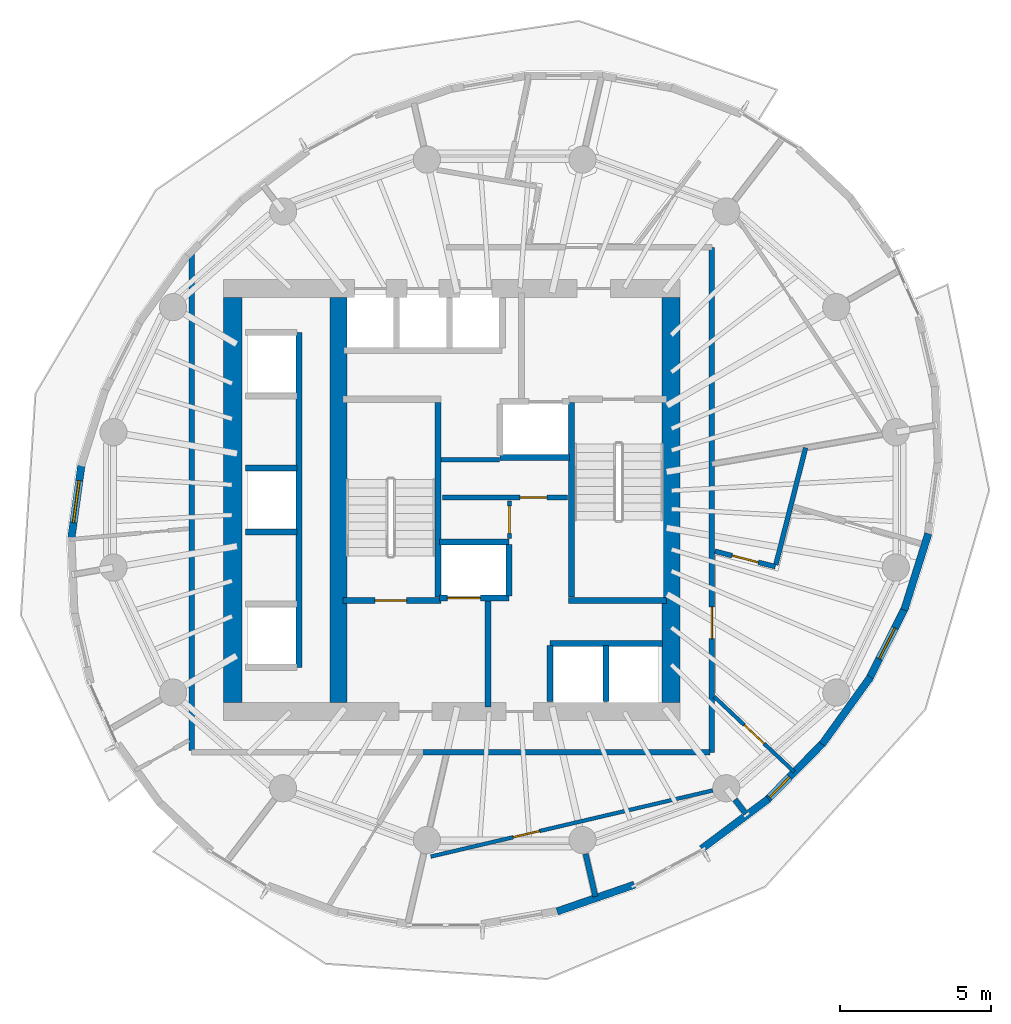
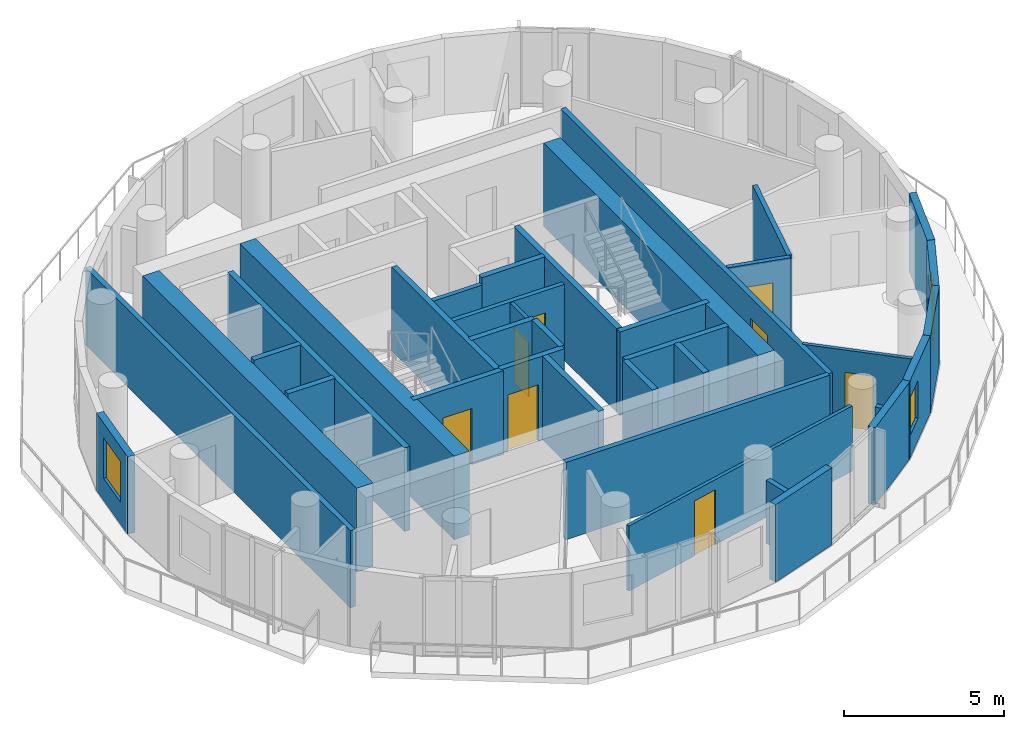
# One storey, part 5 of 10: 37 walls, 9 doors, 2 windows, 11 openings.
"""IFC4 building model written with IfcOpenShell, lengths in metres."""

from ifc_helpers import new_model, si_unit, direction, frame, frame_2d, origin, place, context, subcontext, project, spatial, rectangle, extrude, material, layer, layer_set, type_object, element, fill, save


model = new_model("IFC4")

# Units and contexts
model_context = context("Model", 3, precision=1e-05, world=origin(), true_north=direction((0.0, 1.0)))
body_context = subcontext(model_context, "Body", "Model", "MODEL_VIEW")
ifc_project = project(units=[si_unit("LENGTHUNIT", "METRE"), si_unit("AREAUNIT", "SQUARE_METRE"), si_unit("VOLUMEUNIT", "CUBIC_METRE"), si_unit("PLANEANGLEUNIT", "RADIAN"), si_unit("MASSUNIT", "GRAM", prefix="KILO")], contexts=[model_context])

# Site, building, storey
site_placement = place(None, origin())
site = spatial("IfcSite", under=ifc_project, at=site_placement, CompositionType="ELEMENT")
building_placement = place(site_placement, origin())
building = spatial("IfcBuilding", under=site, at=building_placement, Name="Veldorim Arch Residences", CompositionType="ELEMENT")
storey_placement = place(building_placement, frame((0.0, 0.0, 166.239990234375)))
storey = spatial("IfcBuildingStorey", under=building, at=storey_placement, Name="L49", CompositionType="ELEMENT", Elevation=166.239990234375)

# Wall, opening, door
ifc_material_1 = material(Name="Acoustic Gypsum Board", Category="gypsum")
ifc_layer_1 = layer(ifc_material_1, 0.125, Name="Acoustic Stud Room Partition Wall 125")
ifc_layer_set_1 = layer_set([ifc_layer_1], Name="Acoustic Gypsum Board")
wall_type_1 = type_object("IfcWallType", Name="Acoustic Stud Room Partition Wall 125", PredefinedType="PARTITIONING", material=ifc_layer_set_1)
wall_1_placement = place(storey_placement, frame((32.159912109375, 22.719970703125, 0.0), z_axis=(0.0, 0.0, 1.0), x_axis=(0.0, 1.0, 0.0)))
wall_1 = element("IfcWall", 1, at=wall_1_placement, inside=storey, type_object=wall_type_1, Name="L49 interior wall WL-CA-L49-2", PredefinedType="PARTITIONING", context=body_context, shape_type="SweptSolid", body=[
    extrude(rectangle(XDim=1.25, YDim=0.125, at=frame_2d((0.625, 0.0))), origin(), (0.0, 0.0, 1.0), 2.955078125),
])
opening_1_placement = place(wall_1_placement, frame((0.169921875, 0.0, 0.0)))
opening_1 = element("IfcOpeningElement", 2, at=opening_1_placement, cuts=wall_1, Name="Opening DR-SVC", PredefinedType="OPENING", context=body_context, shape_type="SweptSolid", body=[
    extrude(rectangle(XDim=0.89990234375, YDim=2.10009765625, at=frame_2d((0.449951171875, 1.050048828125))), frame((0.0, 0.072509765625, 0.0), z_axis=(0.0, -1.0, 0.0), x_axis=(1.0, 0.0, 0.0)), (0.0, 0.0, 1.0), 0.14501953125),
])
ifc_material_2 = material(Name="Fire-Rated Steel", Category="steel")
door_type_1 = type_object("IfcDoorType", Name="Riser, Shelter & Plant Room Rated Steel Door 900x2100", OperationType="SINGLE_SWING_LEFT", PredefinedType="DOOR", material=ifc_material_2)
door_1_placement = place(opening_1_placement, origin())
door_1 = element("IfcDoor", 3, at=door_1_placement, inside=storey, type_object=door_type_1, Name="L49 interior door DR-L49-CA2", OperationType="SINGLE_SWING_RIGHT", OverallHeight=2.10009765625, OverallWidth=0.89990234375, PredefinedType="DOOR", context=body_context, shape_type="SweptSolid", body=[
    extrude(rectangle(XDim=0.89990234375, YDim=2.10009765625, at=frame_2d((0.449951171875, 1.050048828125))), frame((0.0, 0.02490234375, 0.0), z_axis=(0.0, -1.0, 0.0), x_axis=(1.0, 0.0, 0.0)), (0.0, 0.0, 1.0), 0.050048828125),
])
fill(opening_1, door_1)

wall_2_placement = place(storey_placement, frame((41.58251953125, 14.9970703125, 0.0), z_axis=(0.0, 0.0, 1.0), x_axis=(-0.728822684094, 0.684702486596, 0.0)))
wall_2 = element("IfcWall", 4, at=wall_2_placement, inside=storey, type_object=wall_type_1, Name="L49 interior wall WL-RES-L49-007", PredefinedType="PARTITIONING", context=body_context, shape_type="SweptSolid", body=[
    extrude(rectangle(XDim=3.635498046875, YDim=0.125, at=frame_2d((1.81787109375, 0.0))), origin(), (0.0, 0.0, 1.0), 2.955078125),
])
opening_2_placement = place(wall_2_placement, frame((1.36767578125, 0.0, 0.0)))
opening_2 = element("IfcOpeningElement", 5, at=opening_2_placement, cuts=wall_2, Name="Opening DR-INT", PredefinedType="OPENING", context=body_context, shape_type="SweptSolid", body=[
    extrude(rectangle(XDim=0.89990234375, YDim=2.10009765625, at=frame_2d((0.449951171875, 1.050048828125))), frame((0.0, 0.072509765625, 0.0), z_axis=(0.0, -1.0, 0.0), x_axis=(1.0, 0.0, 0.0)), (0.0, 0.0, 1.0), 0.14501953125),
])
ifc_material_3 = material(Name="Engineered Timber", Category="wood")
door_type_2 = type_object("IfcDoorType", Name="Apartment Internal Room Timber Door 900x2100", OperationType="SINGLE_SWING_LEFT", PredefinedType="DOOR", material=ifc_material_3)
door_2_placement = place(opening_2_placement, origin())
door_2 = element("IfcDoor", 6, at=door_2_placement, inside=storey, type_object=door_type_2, Name="L49 interior door DR-RES-L49-003", OperationType="SINGLE_SWING_LEFT", OverallHeight=2.10009765625, OverallWidth=0.89990234375, PredefinedType="DOOR", context=body_context, shape_type="SweptSolid", body=[
    extrude(rectangle(XDim=0.89990234375, YDim=2.10009765625, at=frame_2d((0.449951171875, 1.050048828125))), frame((0.0, 0.02490234375, 0.0), z_axis=(0.0, -1.0, 0.0), x_axis=(1.0, 0.0, 0.0)), (0.0, 0.0, 1.0), 0.050048828125),
])
fill(opening_2, door_2)

wall_3_placement = place(storey_placement, frame((38.8837890625, 14.381591796875, 0.0), z_axis=(0.0, 0.0, 1.0), x_axis=(-0.973598619929, -0.228266789684, 0.0)))
wall_3 = element("IfcWall", 7, at=wall_3_placement, inside=storey, type_object=wall_type_1, Name="L49 interior wall WL-RES-L49-011", PredefinedType="PARTITIONING", context=body_context, shape_type="SweptSolid", body=[
    extrude(rectangle(XDim=9.5830078125, YDim=0.125, at=frame_2d((4.79150390625, 0.0))), origin(), (0.0, 0.0, 1.0), 2.488037109375),
])
opening_3_placement = place(wall_3_placement, frame((5.881591796875, 0.0, 0.0)))
opening_3 = element("IfcOpeningElement", 8, at=opening_3_placement, cuts=wall_3, Name="Opening DR-INT", PredefinedType="OPENING", context=body_context, shape_type="SweptSolid", body=[
    extrude(rectangle(XDim=0.89990234375, YDim=2.10009765625, at=frame_2d((0.449951171875, 1.050048828125))), frame((0.0, 0.072509765625, 0.0), z_axis=(0.0, -1.0, 0.0), x_axis=(1.0, 0.0, 0.0)), (0.0, 0.0, 1.0), 0.14501953125),
])
door_3_placement = place(opening_3_placement, origin())
door_3 = element("IfcDoor", 9, at=door_3_placement, inside=storey, type_object=door_type_2, Name="L49 interior door DR-RES-L49-004", OperationType="SINGLE_SWING_RIGHT", OverallHeight=2.10009765625, OverallWidth=0.89990234375, PredefinedType="DOOR", context=body_context, shape_type="SweptSolid", body=[
    extrude(rectangle(XDim=0.89990234375, YDim=2.10009765625, at=frame_2d((0.449951171875, 1.050048828125))), frame((0.0, 0.02490234375, 0.0), z_axis=(0.0, -1.0, 0.0), x_axis=(1.0, 0.0, 0.0)), (0.0, 0.0, 1.0), 0.050048828125),
])
fill(opening_3, door_3)

# Walls
ifc_material_4 = material(Name="Lightweight Masonry Block & Gypsum", Category="masonry")
ifc_layer_2 = layer(ifc_material_4, 0.179931640625, Name="Compartment & Corridor Fire-Rated Party Wall 180")
ifc_layer_set_2 = layer_set([ifc_layer_2], Name="Lightweight Masonry Block & Gypsum")
wall_type_2 = type_object("IfcWallType", Name="Compartment & Corridor Fire-Rated Party Wall 180", PredefinedType="PARTITIONING", material=ifc_layer_set_2)
wall_4_placement = place(storey_placement, frame((34.679931640625, 12.282470703125, 0.0), z_axis=(0.0, 0.0, 1.0), x_axis=(0.22299884629, -0.974818708557, 0.0)))
element("IfcWall", 10, at=wall_4_placement, inside=storey, type_object=wall_type_2, Name="L49 interior wall WL-PIER-L49-13", PredefinedType="PARTITIONING", context=body_context, shape_type="SweptSolid", body=[
    extrude(rectangle(XDim=1.447265625, YDim=0.179931640625, at=frame_2d((0.7236328125, 0.0))), origin(), (0.0, 0.0, 1.0), 2.4033203125),
])
wall_5_placement = place(storey_placement, frame((39.619873046875, 14.08203125, 0.0), z_axis=(0.0, 0.0, 1.0), x_axis=(0.609274747308, -0.792959193334, 0.0)))
element("IfcWall", 11, at=wall_5_placement, inside=storey, type_object=wall_type_2, Name="L49 interior wall WL-PIER-L49-14", PredefinedType="PARTITIONING", context=body_context, shape_type="SweptSolid", body=[
    extrude(rectangle(XDim=0.595458984375, YDim=0.179931640625, at=frame_2d((0.2978515625, 0.0))), origin(), (0.0, 0.0, 1.0), 2.4033203125),
])

# Wall, opening, door
wall_6_placement = place(storey_placement, frame((38.860107421875, 32.360107421875, 0.0), z_axis=(0.0, 0.0, 1.0), x_axis=(0.0, -1.0, 0.0)))
wall_6 = element("IfcWall", 12, at=wall_6_placement, inside=storey, type_object=wall_type_2, Name="L49 interior wall WL-RES-L49-001", PredefinedType="PARTITIONING", context=body_context, shape_type="SweptSolid", body=[
    extrude(rectangle(XDim=16.72021484375, YDim=0.179931640625, at=frame_2d((8.360107421875, 0.0))), origin(), (0.0, 0.0, 1.0), 2.955078125),
])
opening_4_placement = place(wall_6_placement, frame((11.899169921875, 0.0, 0.0)))
opening_4 = element("IfcOpeningElement", 13, at=opening_4_placement, cuts=wall_6, Name="Opening DR-FLT", PredefinedType="OPENING", context=body_context, shape_type="SweptSolid", body=[
    extrude(rectangle(XDim=1.050048828125, YDim=2.14990234375, at=frame_2d((0.52490234375, 1.074951171875))), frame((0.0, 0.099853515625, 0.0), z_axis=(0.0, -1.0, 0.0), x_axis=(1.0, 0.0, 0.0)), (0.0, 0.0, 1.0), 0.199951171875),
])
ifc_material_5 = material(Name="Fire-Rated Timber", Category="wood")
door_type_3 = type_object("IfcDoorType", Name="Apartment Entrance Solid-Core Fire Door 1050x2150", OperationType="SINGLE_SWING_LEFT", PredefinedType="DOOR", material=ifc_material_5)
door_4_placement = place(opening_4_placement, origin())
door_4 = element("IfcDoor", 14, at=door_4_placement, inside=storey, type_object=door_type_3, Name="L49 interior door DR-RES-L49-001", OperationType="SINGLE_SWING_LEFT", OverallHeight=2.14990234375, OverallWidth=1.050048828125, PredefinedType="DOOR", context=body_context, shape_type="SweptSolid", body=[
    extrude(rectangle(XDim=1.050048828125, YDim=2.14990234375, at=frame_2d((0.52490234375, 1.074951171875))), frame((0.0, 0.02490234375, 0.0), z_axis=(0.0, -1.0, 0.0), x_axis=(1.0, 0.0, 0.0)), (0.0, 0.0, 1.0), 0.050048828125),
])
fill(opening_4, door_4)

# Walls
wall_7_placement = place(storey_placement, frame((38.800048828125, 15.639892578125, 0.0), z_axis=(0.0, 0.0, 1.0), x_axis=(-1.0, 0.0, 0.0)))
element("IfcWall", 15, at=wall_7_placement, inside=storey, type_object=wall_type_2, Name="L49 interior wall WL-RES-L49-002", PredefinedType="PARTITIONING", context=body_context, shape_type="SweptSolid", body=[
    extrude(rectangle(XDim=9.549072265625, YDim=0.179931640625, at=frame_2d((4.7744140625, 0.0))), origin(), (0.0, 0.0, 1.0), 2.955078125),
])
wall_8_placement = place(storey_placement, frame((21.639892578125, 15.699951171875, 0.0), z_axis=(0.0, 0.0, 1.0), x_axis=(0.0, 1.0, 0.0)))
element("IfcWall", 16, at=wall_8_placement, inside=storey, type_object=wall_type_2, Name="L49 interior wall WL-RES-L49-005", PredefinedType="PARTITIONING", context=body_context, shape_type="SweptSolid", body=[
    extrude(rectangle(XDim=16.59228515625, YDim=0.179931640625, at=frame_2d((8.296142578125, 0.0))), origin(), (0.0, 0.0, 1.0), 2.955078125),
])
ifc_material_6 = material(Name="Concrete C50/60", Category="concrete")
ifc_layer_3 = layer(ifc_material_6, 0.199951171875, Name="Core Stair & Lift Shaft Enclosure Wall 200")
ifc_layer_set_3 = layer_set([ifc_layer_3], Name="Concrete C50/60")
wall_type_3 = type_object("IfcWallType", Name="Core Stair & Lift Shaft Enclosure Wall 200", PredefinedType="SHEAR", material=ifc_layer_set_3)
wall_9_placement = place(storey_placement, frame((29.7900390625, 20.780029296875, 0.0), z_axis=(0.0, 0.0, 1.0), x_axis=(0.0, 1.0, 0.0)))
element("IfcWall", 17, at=wall_9_placement, inside=storey, type_object=wall_type_3, Name="L49 shaft wall WL-SHF-L49-ST1-E", PredefinedType="SHEAR", context=body_context, shape_type="SweptSolid", body=[
    extrude(rectangle(XDim=6.43994140625, YDim=0.199951171875, at=frame_2d((3.219970703125, 0.0))), origin(), (0.0, 0.0, 1.0), 3.199951171875),
])

# Wall, opening, door
wall_10_placement = place(storey_placement, frame((26.64990234375, 20.669921875, 0.0), z_axis=(0.0, 0.0, 1.0), x_axis=(1.0, 0.0, 0.0)))
wall_10 = element("IfcWall", 18, at=wall_10_placement, inside=storey, type_object=wall_type_3, Name="L49 shaft wall WL-SHF-L49-ST1-S", PredefinedType="SHEAR", context=body_context, shape_type="SweptSolid", body=[
    extrude(rectangle(XDim=3.239990234375, YDim=0.199951171875, at=frame_2d((1.6201171875, 0.0))), origin(), (0.0, 0.0, 1.0), 3.199951171875),
])
opening_5_placement = place(wall_10_placement, frame((1.054931640625, 0.0, 0.0)))
opening_5 = element("IfcOpeningElement", 19, at=opening_5_placement, cuts=wall_10, Name="Opening DR-ST", PredefinedType="OPENING", context=body_context, shape_type="SweptSolid", body=[
    extrude(rectangle(XDim=1.050048828125, YDim=2.14990234375, at=frame_2d((0.52490234375, 1.074951171875))), frame((0.0, 0.10986328125, 0.0), z_axis=(0.0, -1.0, 0.0), x_axis=(1.0, 0.0, 0.0)), (0.0, 0.0, 1.0), 0.219970703125),
])
ifc_material_7 = material(Name="Fire-Rated Steel", Category="steel")
door_type_4 = type_object("IfcDoorType", Name="Exit Staircase Self-Closing Fire Door 1050x2150", OperationType="SINGLE_SWING_LEFT", PredefinedType="DOOR", material=ifc_material_7)
door_5_placement = place(opening_5_placement, origin())
door_5 = element("IfcDoor", 20, at=door_5_placement, inside=storey, type_object=door_type_4, Name="L49 interior door DR-L49-ST1", OperationType="SINGLE_SWING_LEFT", OverallHeight=2.14990234375, OverallWidth=1.050048828125, PredefinedType="DOOR", context=body_context, shape_type="SweptSolid", body=[
    extrude(rectangle(XDim=1.050048828125, YDim=2.14990234375, at=frame_2d((0.52490234375, 1.074951171875))), frame((0.0, 0.02490234375, 0.0), z_axis=(0.0, -1.0, 0.0), x_axis=(1.0, 0.0, 0.0)), (0.0, 0.0, 1.0), 0.050048828125),
])
fill(opening_5, door_5)

# Walls
wall_11_placement = place(storey_placement, frame((34.2099609375, 20.780029296875, 0.0), z_axis=(0.0, 0.0, 1.0), x_axis=(0.0, 1.0, 0.0)))
element("IfcWall", 21, at=wall_11_placement, inside=storey, type_object=wall_type_3, Name="L49 shaft wall WL-SHF-L49-ST2-W", PredefinedType="SHEAR", context=body_context, shape_type="SweptSolid", body=[
    extrude(rectangle(XDim=6.43994140625, YDim=0.199951171875, at=frame_2d((3.219970703125, 0.0))), origin(), (0.0, 0.0, 1.0), 3.199951171875),
])
wall_12_placement = place(storey_placement, frame((34.110107421875, 20.669921875, 0.0), z_axis=(0.0, 0.0, 1.0), x_axis=(1.0, 0.0, 0.0)))
element("IfcWall", 22, at=wall_12_placement, inside=storey, type_object=wall_type_3, Name="L49 shaft wall WL-SHF-L49-ST2-S", PredefinedType="SHEAR", context=body_context, shape_type="SweptSolid", body=[
    extrude(rectangle(XDim=3.239990234375, YDim=0.199951171875, at=frame_2d((1.6201171875, 0.0))), origin(), (0.0, 0.0, 1.0), 3.199951171875),
])
wall_13_placement = place(storey_placement, frame((31.449951171875, 17.14990234375, 0.0), z_axis=(0.0, 0.0, 1.0), x_axis=(0.0, 1.0, 0.0)))
element("IfcWall", 23, at=wall_13_placement, inside=storey, type_object=wall_type_3, Name="L49 shaft wall WL-FFL1-L49-E", PredefinedType="SHEAR", context=body_context, shape_type="SweptSolid", body=[
    extrude(rectangle(XDim=3.5, YDim=0.199951171875, at=frame_2d((1.75, 0.0))), origin(), (0.0, 0.0, 1.0), 3.199951171875),
])

# Wall, opening, door
wall_14_placement = place(storey_placement, frame((29.85009765625, 20.75, 0.0), z_axis=(0.0, 0.0, 1.0), x_axis=(1.0, 0.0, 0.0)))
wall_14 = element("IfcWall", 24, at=wall_14_placement, inside=storey, type_object=wall_type_3, Name="L49 shaft wall WL-FL01-L49-S", PredefinedType="SHEAR", context=body_context, shape_type="SweptSolid", body=[
    extrude(rectangle(XDim=2.2998046875, YDim=0.199951171875, at=frame_2d((1.14990234375, 0.0))), origin(), (0.0, 0.0, 1.0), 3.199951171875),
])
opening_6_placement = place(wall_14_placement, frame((0.25, 0.0, 0.0)))
opening_6 = element("IfcOpeningElement", 25, at=opening_6_placement, cuts=wall_14, Name="Opening LD-FF", PredefinedType="OPENING", context=body_context, shape_type="SweptSolid", body=[
    extrude(rectangle(XDim=1.10009765625, YDim=2.14990234375, at=frame_2d((0.550048828125, 1.074951171875))), frame((0.0, 0.10986328125, 0.0), z_axis=(0.0, -1.0, 0.0), x_axis=(1.0, 0.0, 0.0)), (0.0, 0.0, 1.0), 0.219970703125),
])
ifc_material_8 = material(Name="Stainless Steel", Category="steel")
door_type_5 = type_object("IfcDoorType", Name="Firefighting Lift Bi-Parting Sliding Landing Door 1100x2150", OperationType="DOUBLE_DOOR_SLIDING", PredefinedType="DOOR", material=ifc_material_8)
door_6_placement = place(opening_6_placement, origin())
door_6 = element("IfcDoor", 26, at=door_6_placement, inside=storey, type_object=door_type_5, Name="L49 lift landing door LD-L49-FL01", OperationType="DOUBLE_DOOR_SLIDING", OverallHeight=2.14990234375, OverallWidth=1.10009765625, PredefinedType="DOOR", context=body_context, shape_type="SweptSolid", body=[
    extrude(rectangle(XDim=1.10009765625, YDim=2.14990234375, at=frame_2d((0.550048828125, 1.074951171875))), frame((0.0, 0.02490234375, 0.0), z_axis=(0.0, -1.0, 0.0), x_axis=(1.0, 0.0, 0.0)), (0.0, 0.0, 1.0), 0.050048828125),
])
fill(opening_6, door_6)

# Walls
wall_15_placement = place(storey_placement, frame((29.85009765625, 22.60009765625, 0.0), z_axis=(0.0, 0.0, 1.0), x_axis=(1.0, 0.0, 0.0)))
element("IfcWall", 27, at=wall_15_placement, inside=storey, type_object=wall_type_3, Name="L49 shaft wall WL-FL01-L49-N", PredefinedType="SHEAR", context=body_context, shape_type="SweptSolid", body=[
    extrude(rectangle(XDim=2.2998046875, YDim=0.199951171875, at=frame_2d((1.14990234375, 0.0))), origin(), (0.0, 0.0, 1.0), 3.199951171875),
])
wall_16_placement = place(storey_placement, frame((32.14990234375, 20.820068359375, 0.0), z_axis=(0.0, 0.0, 1.0), x_axis=(0.0, 1.0, 0.0)))
element("IfcWall", 28, at=wall_16_placement, inside=storey, type_object=wall_type_3, Name="L49 shaft wall WL-FL01-L49-E", PredefinedType="SHEAR", context=body_context, shape_type="SweptSolid", body=[
    extrude(rectangle(XDim=1.7099609375, YDim=0.199951171875, at=frame_2d((0.85498046875, 0.0))), origin(), (0.0, 0.0, 1.0), 3.199951171875),
])
wall_17_placement = place(storey_placement, frame((31.85009765625, 25.39990234375, 0.0), z_axis=(0.0, 0.0, 1.0), x_axis=(1.0, 0.0, 0.0)))
element("IfcWall", 29, at=wall_17_placement, inside=storey, type_object=wall_type_3, Name="L49 shaft wall WL-FL02-L49-S", PredefinedType="SHEAR", context=body_context, shape_type="SweptSolid", body=[
    extrude(rectangle(XDim=2.2998046875, YDim=0.199951171875, at=frame_2d((1.14990234375, 0.0))), origin(), (0.0, 0.0, 1.0), 3.199951171875),
])
wall_18_placement = place(storey_placement, frame((25.199951171875, 18.4599609375, 0.0), z_axis=(0.0, 0.0, 1.0), x_axis=(0.0, 1.0, 0.0)))
element("IfcWall", 30, at=wall_18_placement, inside=storey, type_object=wall_type_3, Name="L49 shaft wall WL-B2-L49-E", PredefinedType="SHEAR", context=body_context, shape_type="SweptSolid", body=[
    extrude(rectangle(XDim=11.080078125, YDim=0.199951171875, at=frame_2d((5.5400390625, 0.0))), origin(), (0.0, 0.0, 1.0), 3.199951171875),
])
for number, where, z_axis, x_axis, name in (
    (31, (23.419921875, 22.93994140625, 0.0), (0.0, 0.0, 1.0), (1.0, 0.0, 0.0), "L49 shaft wall WL-B2-L49-D1B"),
    (32, (23.419921875, 25.06005859375, 0.0), (0.0, 0.0, 1.0), (1.0, 0.0, 0.0), "L49 shaft wall WL-B2-L49-D2A"),
):
    element("IfcWall", number, at=place(storey_placement, frame(where, z_axis=z_axis, x_axis=x_axis)), inside=storey, type_object=wall_type_3, Name=name, PredefinedType="SHEAR", context=body_context, shape_type="SweptSolid", body=[
        extrude(rectangle(XDim=1.7099609375, YDim=0.199951171875, at=frame_2d((0.85498046875, 0.0))), origin(), (0.0, 0.0, 1.0), 3.199951171875),
    ])
wall_19_placement = place(storey_placement, frame((33.5, 19.25, 0.0), z_axis=(0.0, 0.0, 1.0), x_axis=(1.0, 0.0, 0.0)))
element("IfcWall", 33, at=wall_19_placement, inside=storey, type_object=wall_type_3, Name="L49 shaft wall WL-OL-L49-N", PredefinedType="SHEAR", context=body_context, shape_type="SweptSolid", body=[
    extrude(rectangle(XDim=3.719970703125, YDim=0.199951171875, at=frame_2d((1.85986328125, 0.0))), origin(), (0.0, 0.0, 1.0), 3.199951171875),
])
for number, where, z_axis, x_axis, name in (
    (34, (33.5, 17.320068359375, 0.0), (0.0, 0.0, 1.0), (0.0, 1.0, 0.0), "L49 shaft wall WL-OL-L49-W"),
    (35, (35.35009765625, 17.320068359375, 0.0), (0.0, 0.0, 1.0), (0.0, 1.0, 0.0), "L49 shaft wall WL-OL-L49-D1"),
):
    element("IfcWall", number, at=place(storey_placement, frame(where, z_axis=z_axis, x_axis=x_axis)), inside=storey, type_object=wall_type_3, Name=name, PredefinedType="SHEAR", context=body_context, shape_type="SweptSolid", body=[
        extrude(rectangle(XDim=1.85986328125, YDim=0.199951171875, at=frame_2d((0.929931640625, 0.0))), origin(), (0.0, 0.0, 1.0), 3.199951171875),
    ])
ifc_material_9 = material(Name="Concrete C50/60", Category="concrete")
ifc_layer_4 = layer(ifc_material_9, 0.60009765625, Name="Mid-Upper Central Core Shear Wall 600")
ifc_layer_set_4 = layer_set([ifc_layer_4], Name="Concrete C50/60")
wall_type_4 = type_object("IfcWallType", Name="Mid-Upper Central Core Shear Wall 600", PredefinedType="SHEAR", material=ifc_layer_set_4)
for number, where, z_axis, x_axis, name in (
    (36, (23.0, 17.300048828125, 0.0), (0.0, 0.0, 1.0), (0.0, 1.0, 0.0), "L49 central core west shear wall"),
    (37, (37.5, 17.300048828125, 0.0), (0.0, 0.0, 1.0), (0.0, 1.0, 0.0), "L49 central core east shear wall"),
):
    element("IfcWall", number, at=place(storey_placement, frame(where, z_axis=z_axis, x_axis=x_axis)), inside=storey, type_object=wall_type_4, Name=name, PredefinedType="SHEAR", context=body_context, shape_type="SweptSolid", body=[
        extrude(rectangle(XDim=13.39990234375, YDim=0.60009765625, at=frame_2d((6.699951171875, 0.0))), origin(), (0.0, 0.0, 1.0), 3.199951171875),
    ])

# Wall, opening, window
ifc_material_10 = material(Name="Precast concrete C40/50", Category="concrete")
ifc_layer_5 = layer(ifc_material_10, 0.25, Name="Tower Terracotta Spandrel & Pier Wall 250")
ifc_layer_set_5 = layer_set([ifc_layer_5], Name="Precast concrete C40/50")
wall_type_5 = type_object("IfcWallType", Name="Tower Terracotta Spandrel & Pier Wall 250", PredefinedType="SOLIDWALL", material=ifc_layer_set_5)
wall_20_placement = place(storey_placement, frame((17.64697265625, 22.660400390625, 0.0), z_axis=(0.0, 0.0, 1.0), x_axis=(0.136289981327, 0.990668986589, 0.0)))
wall_20 = element("IfcWall", 38, at=wall_20_placement, inside=storey, type_object=wall_type_5, Name="L49 terracotta facade wall 14", PredefinedType="SOLIDWALL", context=body_context, shape_type="SweptSolid", body=[
    extrude(rectangle(XDim=2.592041015625, YDim=0.25, at=frame_2d((1.2958984375, 0.0))), origin(), (0.0, 0.0, 1.0), 2.9599609375),
])
opening_7_placement = place(wall_20_placement, frame((0.595947265625, 0.0, 0.85009765625)))
opening_7 = element("IfcOpeningElement", 39, at=opening_7_placement, cuts=wall_20, Name="Opening WN-02", PredefinedType="OPENING", context=body_context, shape_type="SweptSolid", body=[
    extrude(rectangle(XDim=1.39990234375, YDim=1.550048828125, at=frame_2d((0.699951171875, 0.77490234375))), frame((0.0, 0.135009765625, 0.0), z_axis=(0.0, -1.0, 0.0), x_axis=(1.0, 0.0, 0.0)), (0.0, 0.0, 1.0), 0.27001953125),
])
ifc_material_11 = material(Name="Laminated Low-E Glass", Category="glass")
window_type_1 = type_object("IfcWindowType", Name="Residential Casement Window 1400x1550", PartitioningType="SINGLE_PANEL", PredefinedType="WINDOW", material=ifc_material_11)
window_1_placement = place(opening_7_placement, origin())
window_1 = element("IfcWindow", 40, at=window_1_placement, inside=storey, type_object=window_type_1, Name="L49 solar-control facade window 14", OverallHeight=1.550048828125, OverallWidth=1.39990234375, PartitioningType="SINGLE_PANEL", PredefinedType="WINDOW", context=body_context, shape_type="SweptSolid", body=[
    extrude(rectangle(XDim=1.39990234375, YDim=1.550048828125, at=frame_2d((0.699951171875, 0.77490234375))), frame((0.0, 0.030029296875, 0.0), z_axis=(0.0, -1.0, 0.0), x_axis=(1.0, 0.0, 0.0)), (0.0, 0.0, 1.0), 0.06005859375),
])
fill(opening_7, window_1)

# Walls
wall_21_placement = place(storey_placement, frame((36.294921875, 11.2607421875, 0.0), z_axis=(0.0, 0.0, 1.0), x_axis=(-0.945016150651, -0.327023661236, 0.0)))
element("IfcWall", 41, at=wall_21_placement, inside=storey, type_object=wall_type_5, Name="L49 terracotta facade wall 25", PredefinedType="SOLIDWALL", context=body_context, shape_type="SweptSolid", body=[
    extrude(rectangle(XDim=2.70166015625, YDim=0.25, at=frame_2d((1.350830078125, 0.0))), origin(), (0.0, 0.0, 1.0), 2.9599609375),
])
wall_22_placement = place(storey_placement, frame((40.727783203125, 14.0986328125, 0.0), z_axis=(0.0, 0.0, 1.0), x_axis=(-0.800636941996, -0.599149803564, 0.0)))
element("IfcWall", 42, at=wall_22_placement, inside=storey, type_object=wall_type_5, Name="L49 terracotta facade wall 27", PredefinedType="SOLIDWALL", context=body_context, shape_type="SweptSolid", body=[
    extrude(rectangle(XDim=2.7578125, YDim=0.25, at=frame_2d((1.37890625, 0.0))), origin(), (0.0, 0.0, 1.0), 2.9599609375),
])

# Wall, opening, window
wall_23_placement = place(storey_placement, frame((42.578857421875, 15.99462890625, 0.0), z_axis=(0.0, 0.0, 1.0), x_axis=(-0.700794099323, -0.713363603189, 0.0)))
wall_23 = element("IfcWall", 43, at=wall_23_placement, inside=storey, type_object=wall_type_5, Name="L49 terracotta facade wall 28", PredefinedType="SOLIDWALL", context=body_context, shape_type="SweptSolid", body=[
    extrude(rectangle(XDim=2.758056640625, YDim=0.25, at=frame_2d((1.37890625, 0.0))), origin(), (0.0, 0.0, 1.0), 2.9599609375),
])
opening_8_placement = place(wall_23_placement, frame((1.633056640625, 0.0, 0.85009765625)))
opening_8 = element("IfcOpeningElement", 44, at=opening_8_placement, cuts=wall_23, Name="Opening WN-05", PredefinedType="OPENING", context=body_context, shape_type="SweptSolid", body=[
    extrude(rectangle(XDim=0.949951171875, YDim=1.449951171875, at=frame_2d((0.47509765625, 0.72509765625))), frame((0.0, 0.135009765625, 0.0), z_axis=(0.0, -1.0, 0.0), x_axis=(1.0, 0.0, 0.0)), (0.0, 0.0, 1.0), 0.27001953125),
])
ifc_material_12 = material(Name="Laminated Low-E Glass", Category="glass")
window_type_2 = type_object("IfcWindowType", Name="Residential Compact Casement Window 950x1450", PartitioningType="SINGLE_PANEL", PredefinedType="WINDOW", material=ifc_material_12)
window_2_placement = place(opening_8_placement, origin())
window_2 = element("IfcWindow", 45, at=window_2_placement, inside=storey, type_object=window_type_2, Name="L49 solar-control facade window 28", OverallHeight=1.449951171875, OverallWidth=0.949951171875, PartitioningType="SINGLE_PANEL", PredefinedType="WINDOW", context=body_context, shape_type="SweptSolid", body=[
    extrude(rectangle(XDim=0.949951171875, YDim=1.449951171875, at=frame_2d((0.47509765625, 0.72509765625))), frame((0.0, 0.030029296875, 0.0), z_axis=(0.0, -1.0, 0.0), x_axis=(1.0, 0.0, 0.0)), (0.0, 0.0, 1.0), 0.06005859375),
])
fill(opening_8, window_2)

# Wall
wall_24_placement = place(storey_placement, frame((44.107666015625, 18.134521484375, 0.0), z_axis=(0.0, 0.0, 1.0), x_axis=(-0.583975860001, -0.811771023711, 0.0)))
element("IfcWall", 46, at=wall_24_placement, inside=storey, type_object=wall_type_5, Name="L49 terracotta facade wall 29", PredefinedType="SOLIDWALL", context=body_context, shape_type="SweptSolid", body=[
    extrude(rectangle(XDim=2.73828125, YDim=0.25, at=frame_2d((1.369140625, 0.0))), origin(), (0.0, 0.0, 1.0), 2.9599609375),
])

# Wall, opening, door
wall_25_placement = place(storey_placement, frame((45.267822265625, 20.453369140625, 0.0), z_axis=(0.0, 0.0, 1.0), x_axis=(-0.450391703917, -0.892831066352, 0.0)))
wall_25 = element("IfcWall", 47, at=wall_25_placement, inside=storey, type_object=wall_type_5, Name="L49 terracotta facade wall 30", PredefinedType="SOLIDWALL", context=body_context, shape_type="SweptSolid", body=[
    extrude(rectangle(XDim=2.70166015625, YDim=0.25, at=frame_2d((1.350830078125, 0.0))), origin(), (0.0, 0.0, 1.0), 2.9599609375),
])
opening_9_placement = place(wall_25_placement, frame((0.77587890625, 0.0, 0.0)))
opening_9 = element("IfcOpeningElement", 48, at=opening_9_placement, cuts=wall_25, Name="Opening BL-DR", PredefinedType="OPENING", context=body_context, shape_type="SweptSolid", body=[
    extrude(rectangle(XDim=1.14990234375, YDim=2.199951171875, at=frame_2d((0.574951171875, 1.10009765625))), frame((0.0, 0.135009765625, 0.0), z_axis=(0.0, -1.0, 0.0), x_axis=(1.0, 0.0, 0.0)), (0.0, 0.0, 1.0), 0.27001953125),
])
ifc_material_13 = material(Name="Aluminium & Low-E Glass", Category="aluminium")
door_type_6 = type_object("IfcDoorType", Name="Glazed Planted Balcony Door 1150x2200", OperationType="SINGLE_SWING_LEFT", PredefinedType="DOOR", material=ifc_material_13)
door_7_placement = place(opening_9_placement, origin())
door_7 = element("IfcDoor", 49, at=door_7_placement, inside=storey, type_object=door_type_6, Name="L49 glazed outdoor terrace door BALC-2", OperationType="SINGLE_SWING_RIGHT", OverallHeight=2.199951171875, OverallWidth=1.14990234375, PredefinedType="DOOR", context=body_context, shape_type="SweptSolid", body=[
    extrude(rectangle(XDim=1.14990234375, YDim=2.199951171875, at=frame_2d((0.574951171875, 1.10009765625))), frame((0.0, 0.02490234375, 0.0), z_axis=(0.0, -1.0, 0.0), x_axis=(1.0, 0.0, 0.0)), (0.0, 0.0, 1.0), 0.050048828125),
])
fill(opening_9, door_7)

# Walls
wall_26_placement = place(storey_placement, frame((46.02392578125, 22.879638671875, 0.0), z_axis=(0.0, 0.0, 1.0), x_axis=(-0.300796358401, -0.953688392911, 0.0)))
element("IfcWall", 50, at=wall_26_placement, inside=storey, type_object=wall_type_5, Name="L49 terracotta facade wall 31", PredefinedType="SOLIDWALL", context=body_context, shape_type="SweptSolid", body=[
    extrude(rectangle(XDim=2.65087890625, YDim=0.25, at=frame_2d((1.325439453125, 0.0))), origin(), (0.0, 0.0, 1.0), 2.9599609375),
])
ifc_material_14 = material(Name="Concrete C50/60", Category="concrete")
ifc_layer_6 = layer(ifc_material_14, 0.56005859375, Name="Upper Internal Core Shear Web Wall 560")
ifc_layer_set_6 = layer_set([ifc_layer_6], Name="Concrete C50/60")
wall_type_6 = type_object("IfcWallType", Name="Upper Internal Core Shear Web Wall 560", PredefinedType="SHEAR", material=ifc_layer_set_6)
wall_27_placement = place(storey_placement, frame((26.5, 17.300048828125, 0.0), z_axis=(0.0, 0.0, 1.0), x_axis=(0.0, 1.0, 0.0)))
element("IfcWall", 51, at=wall_27_placement, inside=storey, type_object=wall_type_6, Name="L49 core west internal shear web", PredefinedType="SHEAR", context=body_context, shape_type="SweptSolid", body=[
    extrude(rectangle(XDim=13.39990234375, YDim=0.56005859375, at=frame_2d((6.699951171875, 0.0))), origin(), (0.0, 0.0, 1.0), 3.199951171875),
])

# Wall, opening, door
ifc_material_15 = material(Name="Moisture-Resistant Gypsum & Stud", Category="gypsum")
ifc_layer_7 = layer(ifc_material_15, 0.159912109375, Name="Wet-Area Moisture-Resistant Plumbing Wall 160")
ifc_layer_set_7 = layer_set([ifc_layer_7], Name="Moisture-Resistant Gypsum & Stud")
wall_type_7 = type_object("IfcWallType", Name="Wet-Area Moisture-Resistant Plumbing Wall 160", PredefinedType="PLUMBINGWALL", material=ifc_layer_set_7)
wall_28_placement = place(storey_placement, frame((29.949951171875, 24.080078125, 0.0), z_axis=(0.0, 0.0, 1.0), x_axis=(1.0, 0.0, 0.0)))
wall_28 = element("IfcWall", 52, at=wall_28_placement, inside=storey, type_object=wall_type_7, Name="L49 interior wall WL-CA-L49-1", PredefinedType="PLUMBINGWALL", context=body_context, shape_type="SweptSolid", body=[
    extrude(rectangle(XDim=4.130126953125, YDim=0.159912109375, at=frame_2d((2.06494140625, 0.0))), origin(), (0.0, 0.0, 1.0), 2.955078125),
])
opening_10_placement = place(wall_28_placement, frame((2.550048828125, 0.0, 0.0)))
opening_10 = element("IfcOpeningElement", 53, at=opening_10_placement, cuts=wall_28, Name="Opening DR-WC", PredefinedType="OPENING", context=body_context, shape_type="SweptSolid", body=[
    extrude(rectangle(XDim=0.89990234375, YDim=2.10009765625, at=frame_2d((0.449951171875, 1.050048828125))), frame((0.0, 0.08984375, 0.0), z_axis=(0.0, -1.0, 0.0), x_axis=(1.0, 0.0, 0.0)), (0.0, 0.0, 1.0), 0.179931640625),
])
ifc_material_16 = material(Name="Laminate Timber", Category="wood")
door_type_7 = type_object("IfcDoorType", Name="Bathroom & Accessible WC Moisture-Sealed Door 900x2100", OperationType="SINGLE_SWING_LEFT", PredefinedType="DOOR", material=ifc_material_16)
door_8_placement = place(opening_10_placement, origin())
door_8 = element("IfcDoor", 54, at=door_8_placement, inside=storey, type_object=door_type_7, Name="L49 interior door DR-L49-CA1", OperationType="SINGLE_SWING_LEFT", OverallHeight=2.10009765625, OverallWidth=0.89990234375, PredefinedType="DOOR", context=body_context, shape_type="SweptSolid", body=[
    extrude(rectangle(XDim=0.89990234375, YDim=2.10009765625, at=frame_2d((0.449951171875, 1.050048828125))), frame((0.0, 0.02490234375, 0.0), z_axis=(0.0, -1.0, 0.0), x_axis=(1.0, 0.0, 0.0)), (0.0, 0.0, 1.0), 0.050048828125),
])
fill(opening_10, door_8)

# Wall
wall_29_placement = place(storey_placement, frame((29.889892578125, 25.330078125, 0.0), z_axis=(0.0, 0.0, 1.0), x_axis=(1.0, 0.0, 0.0)))
element("IfcWall", 55, at=wall_29_placement, inside=storey, type_object=wall_type_7, Name="L49 interior wall WL-CA-L49-N", PredefinedType="PLUMBINGWALL", context=body_context, shape_type="SweptSolid", body=[
    extrude(rectangle(XDim=1.940185546875, YDim=0.159912109375, at=frame_2d((0.97021484375, 0.0))), origin(), (0.0, 0.0, 1.0), 2.955078125),
])

# Wall, opening, door
wall_30_placement = place(storey_placement, frame((38.956787109375, 22.2998046875, 0.0), z_axis=(0.0, 0.0, 1.0), x_axis=(0.969012871304, -0.24701023308, 0.0)))
wall_30 = element("IfcWall", 56, at=wall_30_placement, inside=storey, type_object=wall_type_7, Name="L49 interior wall WL-RES-L49-008", PredefinedType="PLUMBINGWALL", context=body_context, shape_type="SweptSolid", body=[
    extrude(rectangle(XDim=2.065673828125, YDim=0.159912109375, at=frame_2d((1.03271484375, 0.0))), origin(), (0.0, 0.0, 1.0), 2.955078125),
])
opening_11_placement = place(wall_30_placement, frame((0.582763671875, 0.0, 0.0)))
opening_11 = element("IfcOpeningElement", 57, at=opening_11_placement, cuts=wall_30, Name="Opening DR-INT", PredefinedType="OPENING", context=body_context, shape_type="SweptSolid", body=[
    extrude(rectangle(XDim=0.89990234375, YDim=2.10009765625, at=frame_2d((0.449951171875, 1.050048828125))), frame((0.0, 0.08984375, 0.0), z_axis=(0.0, -1.0, 0.0), x_axis=(1.0, 0.0, 0.0)), (0.0, 0.0, 1.0), 0.179931640625),
])
door_9_placement = place(opening_11_placement, origin())
door_9 = element("IfcDoor", 58, at=door_9_placement, inside=storey, type_object=door_type_2, Name="L49 interior door DR-RES-L49-005", OperationType="SINGLE_SWING_LEFT", OverallHeight=2.10009765625, OverallWidth=0.89990234375, PredefinedType="DOOR", context=body_context, shape_type="SweptSolid", body=[
    extrude(rectangle(XDim=0.89990234375, YDim=2.10009765625, at=frame_2d((0.449951171875, 1.050048828125))), frame((0.0, 0.02490234375, 0.0), z_axis=(0.0, -1.0, 0.0), x_axis=(1.0, 0.0, 0.0)), (0.0, 0.0, 1.0), 0.050048828125),
])
fill(opening_11, door_9)

# Wall
wall_31_placement = place(storey_placement, frame((40.97314453125, 21.84765625, 0.0), z_axis=(0.0, 0.0, 1.0), x_axis=(0.247043041575, 0.969004507528, 0.0)))
element("IfcWall", 59, at=wall_31_placement, inside=storey, type_object=wall_type_7, Name="L49 interior wall WL-RES-L49-009", PredefinedType="PLUMBINGWALL", context=body_context, shape_type="SweptSolid", body=[
    extrude(rectangle(XDim=3.99951171875, YDim=0.159912109375, at=frame_2d((1.999755859375, 0.0))), origin(), (0.0, 0.0, 1.0), 2.955078125),
])

save(model, "model.ifc")
